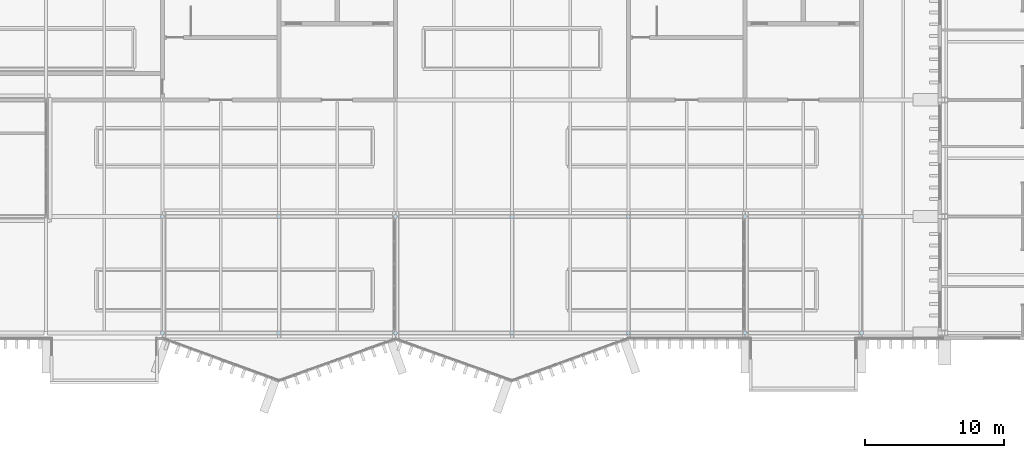
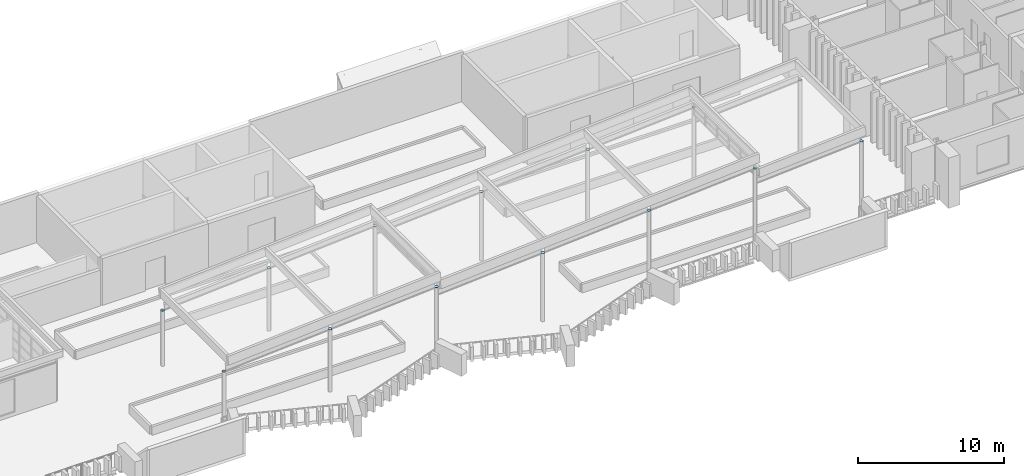
# One storey, part 33 of 51: 14 plates.
"""IFC4 building model written with IfcOpenShell, lengths in metres."""

from ifc_helpers import new_model, si_unit, direction, frame, origin, origin_2d, place, context, subcontext, project, spatial, circle, extrude, material, layer, layer_set, type_object, element, save


model = new_model("IFC4")

# Units and contexts
model_context = context("Model", 3, precision=1e-05, world=origin(), true_north=direction((0.0, 1.0)))
body_context = subcontext(model_context, "Body", "Model", "MODEL_VIEW")
ifc_project = project(units=[si_unit("LENGTHUNIT", "METRE"), si_unit("AREAUNIT", "SQUARE_METRE"), si_unit("VOLUMEUNIT", "CUBIC_METRE"), si_unit("PLANEANGLEUNIT", "RADIAN"), si_unit("MASSUNIT", "GRAM", prefix="KILO")], contexts=[model_context])

# Site, building, storey
site_placement = place(None, origin())
site = spatial("IfcSite", under=ifc_project, at=site_placement, CompositionType="ELEMENT")
building_placement = place(site_placement, origin())
building = spatial("IfcBuilding", under=site, at=building_placement, Name="Cresset Court Congress Hotel", CompositionType="ELEMENT")
storey_placement = place(building_placement, frame((0.0, 0.0, 18.60009765625)))
storey = spatial("IfcBuildingStorey", under=building, at=storey_placement, Name="L04", CompositionType="ELEMENT", Elevation=18.60009765625)

# Plates
ifc_material = material(Name="Structural steel Q355B", Category="steel")
ifc_layer = layer(ifc_material, 0.02001953125)
ifc_layer_set = layer_set([ifc_layer], Name="Roof column end plate 273x20")
plate_type = type_object("IfcPlateType", Name="Roof column end plate 273x20", PredefinedType="USERDEFINED", material=ifc_layer_set)
for number, where, z_axis, x_axis, name in (
    (1, (100.800048828125, 0.0, 4.599853515625), (0.0, 0.0, 1.0), (1.0, 0.0, 0.0), "Roof column end plate 13A"),
    (2, (100.800048828125, 8.39990234375, 4.599853515625), (0.0, 0.0, 1.0), (1.0, 0.0, 0.0), "Roof column end plate 13B"),
    (3, (109.199951171875, 0.0, 5.18798828125), (0.0, 0.0, 1.0), (1.0, 0.0, 0.0), "Roof column end plate 14A"),
    (4, (109.199951171875, 8.39990234375, 5.18798828125), (0.0, 0.0, 1.0), (1.0, 0.0, 0.0), "Roof column end plate 14B"),
    (5, (117.60009765625, 0.0, 5.77587890625), (0.0, 0.0, 1.0), (1.0, 0.0, 0.0), "Roof column end plate 15A"),
    (6, (117.60009765625, 8.39990234375, 5.77587890625), (0.0, 0.0, 1.0), (1.0, 0.0, 0.0), "Roof column end plate 15B"),
    (7, (126.0, 0.0, 5.68798828125), (0.0, 0.0, 1.0), (1.0, 0.0, 0.0), "Roof column end plate 16A"),
    (8, (126.0, 8.39990234375, 5.68798828125), (0.0, 0.0, 1.0), (1.0, 0.0, 0.0), "Roof column end plate 16B"),
    (9, (134.39990234375, 0.0, 6.27587890625), (0.0, 0.0, 1.0), (1.0, 0.0, 0.0), "Roof column end plate 17A"),
    (10, (134.39990234375, 8.39990234375, 6.27587890625), (0.0, 0.0, 1.0), (1.0, 0.0, 0.0), "Roof column end plate 17B"),
):
    element("IfcPlate", number, at=place(storey_placement, frame(where, z_axis=z_axis, x_axis=x_axis)), inside=storey, type_object=plate_type, Name=name, ObjectType="END PLATE", PredefinedType="USERDEFINED", context=body_context, shape_type="SweptSolid", body=[
        extrude(circle(Radius=0.136474609375, at=origin_2d()), origin(), (0.0, 0.0, 1.0), 0.02001953125),
    ])
for number, where, z_axis, x_axis, name in (
    (11, (142.800048828125, 0.0, 6.864013671875), (0.0, 0.0, 1.0), (1.0, 0.0, 0.0), "Roof column end plate 18A"),
    (12, (142.800048828125, 8.39990234375, 6.864013671875), (0.0, 0.0, 1.0), (1.0, 0.0, 0.0), "Roof column end plate 18B"),
):
    element("IfcPlate", number, at=place(storey_placement, frame(where, z_axis=z_axis, x_axis=x_axis)), inside=storey, type_object=plate_type, Name=name, ObjectType="END PLATE", PredefinedType="USERDEFINED", context=body_context, shape_type="SweptSolid", body=[
        extrude(circle(Radius=0.136474609375, at=origin_2d()), origin(), (0.0, 0.0, 1.0), 0.019775390625),
    ])
for number, where, z_axis, x_axis, name in (
    (13, (151.199951171875, 0.0, 6.18798828125), (0.0, 0.0, 1.0), (1.0, 0.0, 0.0), "Roof column end plate 19A"),
    (14, (151.199951171875, 8.39990234375, 6.18798828125), (0.0, 0.0, 1.0), (1.0, 0.0, 0.0), "Roof column end plate 19B"),
):
    element("IfcPlate", number, at=place(storey_placement, frame(where, z_axis=z_axis, x_axis=x_axis)), inside=storey, type_object=plate_type, Name=name, ObjectType="END PLATE", PredefinedType="USERDEFINED", context=body_context, shape_type="SweptSolid", body=[
        extrude(circle(Radius=0.136474609375, at=origin_2d()), origin(), (0.0, 0.0, 1.0), 0.02001953125),
    ])

save(model, "model.ifc")
